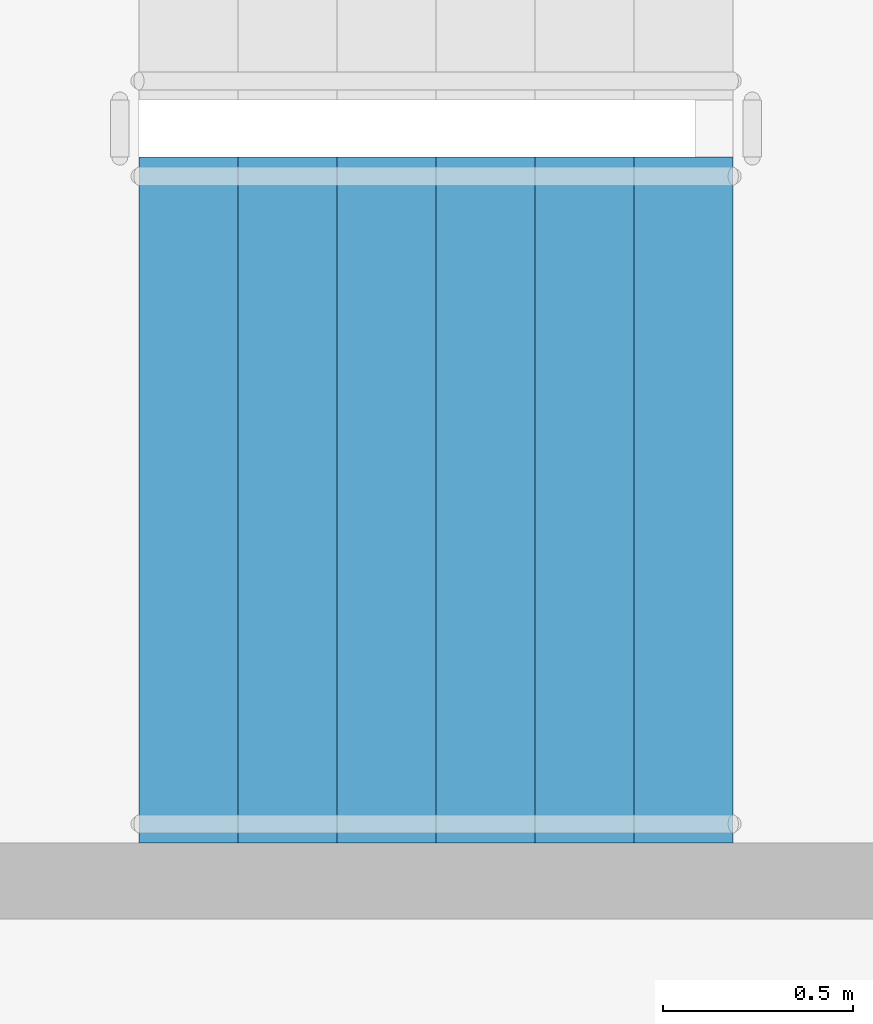
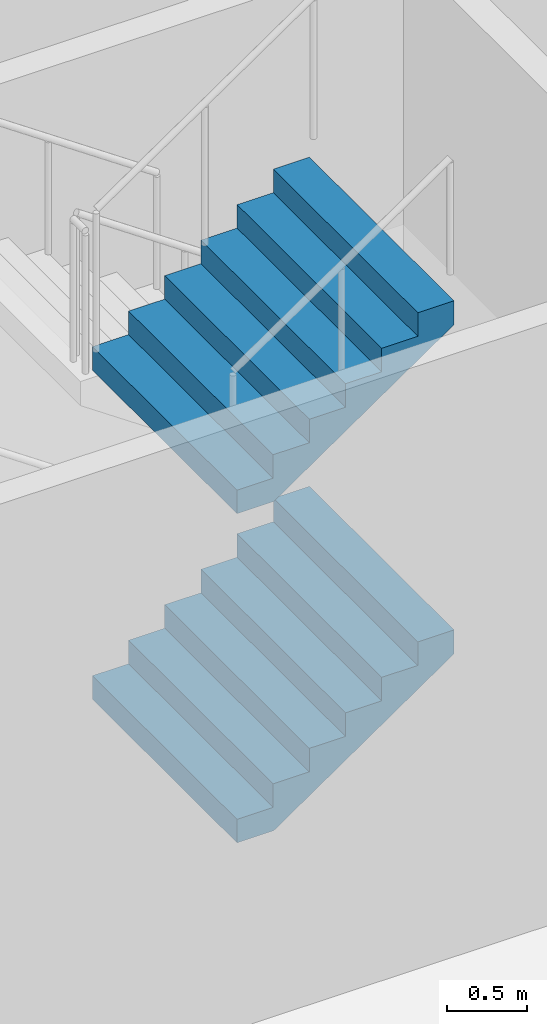
# One storey, part 46 of 59: 2 stair flights, 1 element without a shape of its own.
"""IFC4 building model written with IfcOpenShell, lengths in metres."""

from ifc_helpers import new_model, si_unit, direction, frame, origin, place, context, subcontext, project, spatial, faceted_brep, material, type_object, element, aggregate, save


model = new_model("IFC4")

# Units and contexts
model_context = context("Model", 3, precision=1e-05, world=origin(), true_north=direction((0.0, 1.0)))
body_context = subcontext(model_context, "Body", "Model", "MODEL_VIEW")
ifc_project = project(units=[si_unit("LENGTHUNIT", "METRE"), si_unit("AREAUNIT", "SQUARE_METRE"), si_unit("VOLUMEUNIT", "CUBIC_METRE"), si_unit("PLANEANGLEUNIT", "RADIAN"), si_unit("MASSUNIT", "GRAM", prefix="KILO")], contexts=[model_context])

# Site, building, storey
site_placement = place(None, origin())
site = spatial("IfcSite", under=ifc_project, at=site_placement, CompositionType="ELEMENT")
building_placement = place(site_placement, origin())
building = spatial("IfcBuilding", under=site, at=building_placement, Name="Ipe Terrace Towers", CompositionType="ELEMENT")
storey_placement = place(building_placement, frame((0.0, 0.0, 6.0)))
storey = spatial("IfcBuildingStorey", under=building, at=storey_placement, Name="L01", CompositionType="ELEMENT", Elevation=6.0)

# Stair, stair flights
ifc_material_1 = material(Name="Concrete C30/37", Category="concrete")
stair_type = type_object("IfcStairType", Name="Protected exit stair", PredefinedType="HALF_TURN_STAIR", material=ifc_material_1)
stair_placement = place(storey_placement, origin())
stair = element("IfcStair", 1, at=stair_placement, inside=storey, type_object=stair_type, Name="L01 Podium exit stair PS3", PredefinedType="HALF_TURN_STAIR")
ifc_material_2 = material(Name="Concrete C30/37", Category="concrete")
stair_flight_type = type_object("IfcStairFlightType", Name="Exit stair flight 1800", PredefinedType="STRAIGHT", material=ifc_material_2)
stair_flight_1_placement = place(storey_placement, frame((51.2099609375, 23.550048828125, 1.25), z_axis=(0.0, 0.0, 1.0), x_axis=(1.0, 0.0, 0.0)))
stair_flight_1 = element("IfcStairFlight", 2, at=stair_flight_1_placement, type_object=stair_flight_type, Name="PS3 flight 2", NumberOfRisers=7, NumberOfTreads=6, PredefinedType="STRAIGHT", RiserHeight=0.178571429, TreadLength=0.26, context=body_context, shape_type="Brep", body=[
    faceted_brep([(0.264892578125, -0.89990234375, 0.0), (1.56005859375, -0.89990234375, 0.8896484375), (1.56005859375, -0.89990234375, 1.071533203125), (1.300048828125, -0.89990234375, 1.071533203125), (1.300048828125, -0.89990234375, 0.892822265625), (1.0400390625, -0.89990234375, 0.892822265625), (1.0400390625, -0.89990234375, 0.71435546875), (0.780029296875, -0.89990234375, 0.71435546875), (0.780029296875, -0.89990234375, 0.53564453125), (0.52001953125, -0.89990234375, 0.53564453125), (0.52001953125, -0.89990234375, 0.357177734375), (0.260009765625, -0.89990234375, 0.357177734375), (0.260009765625, -0.89990234375, 0.178466796875), (0.0, -0.89990234375, 0.178466796875), (0.0, -0.89990234375, 0.0), (0.0, 0.89990234375, 0.0), (0.0, 0.89990234375, 0.178466796875), (0.260009765625, 0.89990234375, 0.178466796875), (0.260009765625, 0.89990234375, 0.357177734375), (0.52001953125, 0.89990234375, 0.357177734375), (0.52001953125, 0.89990234375, 0.53564453125), (0.780029296875, 0.89990234375, 0.53564453125), (0.780029296875, 0.89990234375, 0.71435546875), (1.0400390625, 0.89990234375, 0.71435546875), (1.0400390625, 0.89990234375, 0.892822265625), (1.300048828125, 0.89990234375, 0.892822265625), (1.300048828125, 0.89990234375, 1.071533203125), (1.56005859375, 0.89990234375, 1.071533203125), (1.56005859375, 0.89990234375, 0.8896484375), (0.264892578125, 0.89990234375, 0.0), (0.0, -0.300048828125, 0.178466796875), (0.0, -0.1201171875, 0.178466796875), (0.0, -0.06005859375, 0.178466796875), (0.0, -0.030029296875, 0.178466796875), (0.0, -0.010009765625, 0.178466796875), (0.0, 0.0, 0.178466796875), (0.0, 0.010009765625, 0.178466796875), (0.0, 0.030029296875, 0.178466796875), (0.0, 0.06005859375, 0.178466796875), (0.0, 0.1201171875, 0.178466796875), (0.0, 0.300048828125, 0.178466796875), (0.0, 0.300048828125, 0.0), (0.0, 0.1201171875, 0.0), (0.0, 0.06005859375, 0.0), (0.0, 0.030029296875, 0.0), (0.0, 0.010009765625, 0.0), (0.0, 0.0, 0.0), (0.0, -0.010009765625, 0.0), (0.0, -0.030029296875, 0.0), (0.0, -0.06005859375, 0.0), (0.0, -0.1201171875, 0.0), (0.0, -0.300048828125, 0.0), (0.260009765625, -0.300048828125, 0.178466796875), (0.260009765625, -0.1201171875, 0.178466796875), (0.260009765625, -0.06005859375, 0.178466796875), (0.260009765625, -0.030029296875, 0.178466796875), (0.260009765625, -0.010009765625, 0.178466796875), (0.260009765625, 0.0, 0.178466796875), (0.260009765625, 0.010009765625, 0.178466796875), (0.260009765625, 0.030029296875, 0.178466796875), (0.260009765625, 0.06005859375, 0.178466796875), (0.260009765625, 0.1201171875, 0.178466796875), (0.260009765625, 0.300048828125, 0.178466796875), (0.260009765625, -0.300048828125, 0.357177734375), (0.260009765625, -0.1201171875, 0.357177734375), (0.260009765625, -0.06005859375, 0.357177734375), (0.260009765625, -0.030029296875, 0.357177734375), (0.260009765625, -0.010009765625, 0.357177734375), (0.260009765625, 0.0, 0.357177734375), (0.260009765625, 0.010009765625, 0.357177734375), (0.260009765625, 0.030029296875, 0.357177734375), (0.260009765625, 0.06005859375, 0.357177734375), (0.260009765625, 0.1201171875, 0.357177734375), (0.260009765625, 0.300048828125, 0.357177734375), (0.52001953125, -0.300048828125, 0.357177734375), (0.52001953125, -0.1201171875, 0.357177734375), (0.52001953125, -0.06005859375, 0.357177734375), (0.52001953125, -0.030029296875, 0.357177734375), (0.52001953125, -0.010009765625, 0.357177734375), (0.52001953125, 0.0, 0.357177734375), (0.52001953125, 0.010009765625, 0.357177734375), (0.52001953125, 0.030029296875, 0.357177734375), (0.52001953125, 0.06005859375, 0.357177734375), (0.52001953125, 0.1201171875, 0.357177734375), (0.52001953125, 0.300048828125, 0.357177734375), (0.52001953125, -0.300048828125, 0.53564453125), (0.52001953125, -0.1201171875, 0.53564453125), (0.52001953125, -0.06005859375, 0.53564453125), (0.52001953125, -0.030029296875, 0.53564453125), (0.52001953125, -0.010009765625, 0.53564453125), (0.52001953125, 0.0, 0.53564453125), (0.52001953125, 0.010009765625, 0.53564453125), (0.52001953125, 0.030029296875, 0.53564453125), (0.52001953125, 0.06005859375, 0.53564453125), (0.52001953125, 0.1201171875, 0.53564453125), (0.52001953125, 0.300048828125, 0.53564453125), (0.780029296875, -0.300048828125, 0.53564453125), (0.780029296875, -0.1201171875, 0.53564453125), (0.780029296875, -0.06005859375, 0.53564453125), (0.780029296875, -0.030029296875, 0.53564453125), (0.780029296875, -0.010009765625, 0.53564453125), (0.780029296875, 0.0, 0.53564453125), (0.780029296875, 0.010009765625, 0.53564453125), (0.780029296875, 0.030029296875, 0.53564453125), (0.780029296875, 0.06005859375, 0.53564453125), (0.780029296875, 0.1201171875, 0.53564453125), (0.780029296875, 0.300048828125, 0.53564453125), (0.780029296875, -0.300048828125, 0.71435546875), (0.780029296875, -0.1201171875, 0.71435546875), (0.780029296875, -0.06005859375, 0.71435546875), (0.780029296875, -0.030029296875, 0.71435546875), (0.780029296875, -0.010009765625, 0.71435546875), (0.780029296875, 0.0, 0.71435546875), (0.780029296875, 0.010009765625, 0.71435546875), (0.780029296875, 0.030029296875, 0.71435546875), (0.780029296875, 0.06005859375, 0.71435546875), (0.780029296875, 0.1201171875, 0.71435546875), (0.780029296875, 0.300048828125, 0.71435546875), (1.0400390625, -0.300048828125, 0.71435546875), (1.0400390625, -0.1201171875, 0.71435546875), (1.0400390625, -0.06005859375, 0.71435546875), (1.0400390625, -0.030029296875, 0.71435546875), (1.0400390625, -0.010009765625, 0.71435546875), (1.0400390625, 0.0, 0.71435546875), (1.0400390625, 0.010009765625, 0.71435546875), (1.0400390625, 0.030029296875, 0.71435546875), (1.0400390625, 0.06005859375, 0.71435546875), (1.0400390625, 0.1201171875, 0.71435546875), (1.0400390625, 0.300048828125, 0.71435546875), (1.0400390625, -0.300048828125, 0.892822265625), (1.0400390625, -0.1201171875, 0.892822265625), (1.0400390625, -0.06005859375, 0.892822265625), (1.0400390625, -0.030029296875, 0.892822265625), (1.0400390625, -0.010009765625, 0.892822265625), (1.0400390625, 0.0, 0.892822265625), (1.0400390625, 0.010009765625, 0.892822265625), (1.0400390625, 0.030029296875, 0.892822265625), (1.0400390625, 0.06005859375, 0.892822265625), (1.0400390625, 0.1201171875, 0.892822265625), (1.0400390625, 0.300048828125, 0.892822265625), (1.300048828125, -0.300048828125, 0.892822265625), (1.300048828125, -0.1201171875, 0.892822265625), (1.300048828125, -0.06005859375, 0.892822265625), (1.300048828125, -0.030029296875, 0.892822265625), (1.300048828125, -0.010009765625, 0.892822265625), (1.300048828125, 0.0, 0.892822265625), (1.300048828125, 0.010009765625, 0.892822265625), (1.300048828125, 0.030029296875, 0.892822265625), (1.300048828125, 0.06005859375, 0.892822265625), (1.300048828125, 0.1201171875, 0.892822265625), (1.300048828125, 0.300048828125, 0.892822265625), (1.300048828125, -0.300048828125, 1.071533203125), (1.300048828125, -0.1201171875, 1.071533203125), (1.300048828125, -0.06005859375, 1.071533203125), (1.300048828125, -0.030029296875, 1.071533203125), (1.300048828125, -0.010009765625, 1.071533203125), (1.300048828125, 0.0, 1.071533203125), (1.300048828125, 0.010009765625, 1.071533203125), (1.300048828125, 0.030029296875, 1.071533203125), (1.300048828125, 0.06005859375, 1.071533203125), (1.300048828125, 0.1201171875, 1.071533203125), (1.300048828125, 0.300048828125, 1.071533203125), (1.56005859375, -0.300048828125, 1.071533203125), (1.56005859375, -0.1201171875, 1.071533203125), (1.56005859375, -0.06005859375, 1.071533203125), (1.56005859375, -0.030029296875, 1.071533203125), (1.56005859375, -0.010009765625, 1.071533203125), (1.56005859375, 0.0, 1.071533203125), (1.56005859375, 0.010009765625, 1.071533203125), (1.56005859375, 0.030029296875, 1.071533203125), (1.56005859375, 0.06005859375, 1.071533203125), (1.56005859375, 0.1201171875, 1.071533203125), (1.56005859375, 0.300048828125, 1.071533203125), (1.56005859375, -0.300048828125, 0.8896484375), (1.56005859375, -0.1201171875, 0.8896484375), (1.56005859375, -0.06005859375, 0.8896484375), (1.56005859375, -0.030029296875, 0.8896484375), (1.56005859375, -0.010009765625, 0.8896484375), (1.56005859375, 0.0, 0.8896484375), (1.56005859375, 0.010009765625, 0.8896484375), (1.56005859375, 0.030029296875, 0.8896484375), (1.56005859375, 0.06005859375, 0.8896484375), (1.56005859375, 0.1201171875, 0.8896484375), (1.56005859375, 0.300048828125, 0.8896484375), (0.264892578125, -0.300048828125, 0.0), (0.264892578125, -0.1201171875, 0.0), (0.264892578125, -0.06005859375, 0.0), (0.264892578125, -0.030029296875, 0.0), (0.264892578125, -0.010009765625, 0.0), (0.264892578125, 0.0, 0.0), (0.264892578125, 0.010009765625, 0.0), (0.264892578125, 0.030029296875, 0.0), (0.264892578125, 0.06005859375, 0.0), (0.264892578125, 0.1201171875, 0.0), (0.264892578125, 0.300048828125, 0.0)], [[[0, 1, 2, 3, 4, 5, 6, 7, 8, 9, 10, 11, 12, 13, 14]], [[15, 16, 17, 18, 19, 20, 21, 22, 23, 24, 25, 26, 27, 28, 29]], [[13, 30, 31, 32, 33, 34, 35, 36, 37, 38, 39, 40, 16, 15, 41, 42, 43, 44, 45, 46, 47, 48, 49, 50, 51, 14]], [[12, 52, 53, 54, 55, 56, 57, 58, 59, 60, 61, 62, 17, 16, 40, 39, 38, 37, 36, 35, 34, 33, 32, 31, 30, 13]], [[11, 63, 64, 65, 66, 67, 68, 69, 70, 71, 72, 73, 18, 17, 62, 61, 60, 59, 58, 57, 56, 55, 54, 53, 52, 12]], [[10, 74, 75, 76, 77, 78, 79, 80, 81, 82, 83, 84, 19, 18, 73, 72, 71, 70, 69, 68, 67, 66, 65, 64, 63, 11]], [[9, 85, 86, 87, 88, 89, 90, 91, 92, 93, 94, 95, 20, 19, 84, 83, 82, 81, 80, 79, 78, 77, 76, 75, 74, 10]], [[8, 96, 97, 98, 99, 100, 101, 102, 103, 104, 105, 106, 21, 20, 95, 94, 93, 92, 91, 90, 89, 88, 87, 86, 85, 9]], [[7, 107, 108, 109, 110, 111, 112, 113, 114, 115, 116, 117, 22, 21, 106, 105, 104, 103, 102, 101, 100, 99, 98, 97, 96, 8]], [[6, 118, 119, 120, 121, 122, 123, 124, 125, 126, 127, 128, 23, 22, 117, 116, 115, 114, 113, 112, 111, 110, 109, 108, 107, 7]], [[5, 129, 130, 131, 132, 133, 134, 135, 136, 137, 138, 139, 24, 23, 128, 127, 126, 125, 124, 123, 122, 121, 120, 119, 118, 6]], [[4, 140, 141, 142, 143, 144, 145, 146, 147, 148, 149, 150, 25, 24, 139, 138, 137, 136, 135, 134, 133, 132, 131, 130, 129, 5]], [[3, 151, 152, 153, 154, 155, 156, 157, 158, 159, 160, 161, 26, 25, 150, 149, 148, 147, 146, 145, 144, 143, 142, 141, 140, 4]], [[2, 162, 163, 164, 165, 166, 167, 168, 169, 170, 171, 172, 27, 26, 161, 160, 159, 158, 157, 156, 155, 154, 153, 152, 151, 3]], [[1, 173, 174, 175, 176, 177, 178, 179, 180, 181, 182, 183, 28, 27, 172, 171, 170, 169, 168, 167, 166, 165, 164, 163, 162, 2]], [[0, 184, 185, 186, 187, 188, 189, 190, 191, 192, 193, 194, 29, 28, 183, 182, 181, 180, 179, 178, 177, 176, 175, 174, 173, 1]], [[14, 51, 50, 49, 48, 47, 46, 45, 44, 43, 42, 41, 15, 29, 194, 193, 192, 191, 190, 189, 188, 187, 186, 185, 184, 0]]]),
])
stair_flight_2_placement = place(storey_placement, frame((51.2099609375, 23.550048828125, 3.75), z_axis=(0.0, 0.0, 1.0), x_axis=(1.0, 0.0, 0.0)))
stair_flight_2 = element("IfcStairFlight", 3, at=stair_flight_2_placement, type_object=stair_flight_type, Name="PS3 flight 4", NumberOfRisers=7, NumberOfTreads=6, PredefinedType="STRAIGHT", RiserHeight=0.178571429, TreadLength=0.26, context=body_context, shape_type="Brep", body=[
    faceted_brep([(0.264892578125, -0.89990234375, 0.0), (1.56005859375, -0.89990234375, 0.8896484375), (1.56005859375, -0.89990234375, 1.071533203125), (1.300048828125, -0.89990234375, 1.071533203125), (1.300048828125, -0.89990234375, 0.892822265625), (1.0400390625, -0.89990234375, 0.892822265625), (1.0400390625, -0.89990234375, 0.71435546875), (0.780029296875, -0.89990234375, 0.71435546875), (0.780029296875, -0.89990234375, 0.53564453125), (0.52001953125, -0.89990234375, 0.53564453125), (0.52001953125, -0.89990234375, 0.357177734375), (0.260009765625, -0.89990234375, 0.357177734375), (0.260009765625, -0.89990234375, 0.178466796875), (0.0, -0.89990234375, 0.178466796875), (0.0, -0.89990234375, 0.0), (0.0, 0.89990234375, 0.0), (0.0, 0.89990234375, 0.178466796875), (0.260009765625, 0.89990234375, 0.178466796875), (0.260009765625, 0.89990234375, 0.357177734375), (0.52001953125, 0.89990234375, 0.357177734375), (0.52001953125, 0.89990234375, 0.53564453125), (0.780029296875, 0.89990234375, 0.53564453125), (0.780029296875, 0.89990234375, 0.71435546875), (1.0400390625, 0.89990234375, 0.71435546875), (1.0400390625, 0.89990234375, 0.892822265625), (1.300048828125, 0.89990234375, 0.892822265625), (1.300048828125, 0.89990234375, 1.071533203125), (1.56005859375, 0.89990234375, 1.071533203125), (1.56005859375, 0.89990234375, 0.8896484375), (0.264892578125, 0.89990234375, 0.0), (0.0, -0.300048828125, 0.178466796875), (0.0, -0.1201171875, 0.178466796875), (0.0, -0.06005859375, 0.178466796875), (0.0, -0.030029296875, 0.178466796875), (0.0, -0.010009765625, 0.178466796875), (0.0, 0.0, 0.178466796875), (0.0, 0.010009765625, 0.178466796875), (0.0, 0.030029296875, 0.178466796875), (0.0, 0.06005859375, 0.178466796875), (0.0, 0.1201171875, 0.178466796875), (0.0, 0.300048828125, 0.178466796875), (0.0, 0.300048828125, 0.0), (0.0, 0.1201171875, 0.0), (0.0, 0.06005859375, 0.0), (0.0, 0.030029296875, 0.0), (0.0, 0.010009765625, 0.0), (0.0, 0.0, 0.0), (0.0, -0.010009765625, 0.0), (0.0, -0.030029296875, 0.0), (0.0, -0.06005859375, 0.0), (0.0, -0.1201171875, 0.0), (0.0, -0.300048828125, 0.0), (0.260009765625, -0.300048828125, 0.178466796875), (0.260009765625, -0.1201171875, 0.178466796875), (0.260009765625, -0.06005859375, 0.178466796875), (0.260009765625, -0.030029296875, 0.178466796875), (0.260009765625, -0.010009765625, 0.178466796875), (0.260009765625, 0.0, 0.178466796875), (0.260009765625, 0.010009765625, 0.178466796875), (0.260009765625, 0.030029296875, 0.178466796875), (0.260009765625, 0.06005859375, 0.178466796875), (0.260009765625, 0.1201171875, 0.178466796875), (0.260009765625, 0.300048828125, 0.178466796875), (0.260009765625, -0.300048828125, 0.357177734375), (0.260009765625, -0.1201171875, 0.357177734375), (0.260009765625, -0.06005859375, 0.357177734375), (0.260009765625, -0.030029296875, 0.357177734375), (0.260009765625, -0.010009765625, 0.357177734375), (0.260009765625, 0.0, 0.357177734375), (0.260009765625, 0.010009765625, 0.357177734375), (0.260009765625, 0.030029296875, 0.357177734375), (0.260009765625, 0.06005859375, 0.357177734375), (0.260009765625, 0.1201171875, 0.357177734375), (0.260009765625, 0.300048828125, 0.357177734375), (0.52001953125, -0.300048828125, 0.357177734375), (0.52001953125, -0.1201171875, 0.357177734375), (0.52001953125, -0.06005859375, 0.357177734375), (0.52001953125, -0.030029296875, 0.357177734375), (0.52001953125, -0.010009765625, 0.357177734375), (0.52001953125, 0.0, 0.357177734375), (0.52001953125, 0.010009765625, 0.357177734375), (0.52001953125, 0.030029296875, 0.357177734375), (0.52001953125, 0.06005859375, 0.357177734375), (0.52001953125, 0.1201171875, 0.357177734375), (0.52001953125, 0.300048828125, 0.357177734375), (0.52001953125, -0.300048828125, 0.53564453125), (0.52001953125, -0.1201171875, 0.53564453125), (0.52001953125, -0.06005859375, 0.53564453125), (0.52001953125, -0.030029296875, 0.53564453125), (0.52001953125, -0.010009765625, 0.53564453125), (0.52001953125, 0.0, 0.53564453125), (0.52001953125, 0.010009765625, 0.53564453125), (0.52001953125, 0.030029296875, 0.53564453125), (0.52001953125, 0.06005859375, 0.53564453125), (0.52001953125, 0.1201171875, 0.53564453125), (0.52001953125, 0.300048828125, 0.53564453125), (0.780029296875, -0.300048828125, 0.53564453125), (0.780029296875, -0.1201171875, 0.53564453125), (0.780029296875, -0.06005859375, 0.53564453125), (0.780029296875, -0.030029296875, 0.53564453125), (0.780029296875, -0.010009765625, 0.53564453125), (0.780029296875, 0.0, 0.53564453125), (0.780029296875, 0.010009765625, 0.53564453125), (0.780029296875, 0.030029296875, 0.53564453125), (0.780029296875, 0.06005859375, 0.53564453125), (0.780029296875, 0.1201171875, 0.53564453125), (0.780029296875, 0.300048828125, 0.53564453125), (0.780029296875, -0.300048828125, 0.71435546875), (0.780029296875, -0.1201171875, 0.71435546875), (0.780029296875, -0.06005859375, 0.71435546875), (0.780029296875, -0.030029296875, 0.71435546875), (0.780029296875, -0.010009765625, 0.71435546875), (0.780029296875, 0.0, 0.71435546875), (0.780029296875, 0.010009765625, 0.71435546875), (0.780029296875, 0.030029296875, 0.71435546875), (0.780029296875, 0.06005859375, 0.71435546875), (0.780029296875, 0.1201171875, 0.71435546875), (0.780029296875, 0.300048828125, 0.71435546875), (1.0400390625, -0.300048828125, 0.71435546875), (1.0400390625, -0.1201171875, 0.71435546875), (1.0400390625, -0.06005859375, 0.71435546875), (1.0400390625, -0.030029296875, 0.71435546875), (1.0400390625, -0.010009765625, 0.71435546875), (1.0400390625, 0.0, 0.71435546875), (1.0400390625, 0.010009765625, 0.71435546875), (1.0400390625, 0.030029296875, 0.71435546875), (1.0400390625, 0.06005859375, 0.71435546875), (1.0400390625, 0.1201171875, 0.71435546875), (1.0400390625, 0.300048828125, 0.71435546875), (1.0400390625, -0.300048828125, 0.892822265625), (1.0400390625, -0.1201171875, 0.892822265625), (1.0400390625, -0.06005859375, 0.892822265625), (1.0400390625, -0.030029296875, 0.892822265625), (1.0400390625, -0.010009765625, 0.892822265625), (1.0400390625, 0.0, 0.892822265625), (1.0400390625, 0.010009765625, 0.892822265625), (1.0400390625, 0.030029296875, 0.892822265625), (1.0400390625, 0.06005859375, 0.892822265625), (1.0400390625, 0.1201171875, 0.892822265625), (1.0400390625, 0.300048828125, 0.892822265625), (1.300048828125, -0.300048828125, 0.892822265625), (1.300048828125, -0.1201171875, 0.892822265625), (1.300048828125, -0.06005859375, 0.892822265625), (1.300048828125, -0.030029296875, 0.892822265625), (1.300048828125, -0.010009765625, 0.892822265625), (1.300048828125, 0.0, 0.892822265625), (1.300048828125, 0.010009765625, 0.892822265625), (1.300048828125, 0.030029296875, 0.892822265625), (1.300048828125, 0.06005859375, 0.892822265625), (1.300048828125, 0.1201171875, 0.892822265625), (1.300048828125, 0.300048828125, 0.892822265625), (1.300048828125, -0.300048828125, 1.071533203125), (1.300048828125, -0.1201171875, 1.071533203125), (1.300048828125, -0.06005859375, 1.071533203125), (1.300048828125, -0.030029296875, 1.071533203125), (1.300048828125, -0.010009765625, 1.071533203125), (1.300048828125, 0.0, 1.071533203125), (1.300048828125, 0.010009765625, 1.071533203125), (1.300048828125, 0.030029296875, 1.071533203125), (1.300048828125, 0.06005859375, 1.071533203125), (1.300048828125, 0.1201171875, 1.071533203125), (1.300048828125, 0.300048828125, 1.071533203125), (1.56005859375, -0.300048828125, 1.071533203125), (1.56005859375, -0.1201171875, 1.071533203125), (1.56005859375, -0.06005859375, 1.071533203125), (1.56005859375, -0.030029296875, 1.071533203125), (1.56005859375, -0.010009765625, 1.071533203125), (1.56005859375, 0.0, 1.071533203125), (1.56005859375, 0.010009765625, 1.071533203125), (1.56005859375, 0.030029296875, 1.071533203125), (1.56005859375, 0.06005859375, 1.071533203125), (1.56005859375, 0.1201171875, 1.071533203125), (1.56005859375, 0.300048828125, 1.071533203125), (1.56005859375, -0.300048828125, 0.8896484375), (1.56005859375, -0.1201171875, 0.8896484375), (1.56005859375, -0.06005859375, 0.8896484375), (1.56005859375, -0.030029296875, 0.8896484375), (1.56005859375, -0.010009765625, 0.8896484375), (1.56005859375, 0.0, 0.8896484375), (1.56005859375, 0.010009765625, 0.8896484375), (1.56005859375, 0.030029296875, 0.8896484375), (1.56005859375, 0.06005859375, 0.8896484375), (1.56005859375, 0.1201171875, 0.8896484375), (1.56005859375, 0.300048828125, 0.8896484375), (0.264892578125, -0.300048828125, 0.0), (0.264892578125, -0.1201171875, 0.0), (0.264892578125, -0.06005859375, 0.0), (0.264892578125, -0.030029296875, 0.0), (0.264892578125, -0.010009765625, 0.0), (0.264892578125, 0.0, 0.0), (0.264892578125, 0.010009765625, 0.0), (0.264892578125, 0.030029296875, 0.0), (0.264892578125, 0.06005859375, 0.0), (0.264892578125, 0.1201171875, 0.0), (0.264892578125, 0.300048828125, 0.0)], [[[0, 1, 2, 3, 4, 5, 6, 7, 8, 9, 10, 11, 12, 13, 14]], [[15, 16, 17, 18, 19, 20, 21, 22, 23, 24, 25, 26, 27, 28, 29]], [[13, 30, 31, 32, 33, 34, 35, 36, 37, 38, 39, 40, 16, 15, 41, 42, 43, 44, 45, 46, 47, 48, 49, 50, 51, 14]], [[12, 52, 53, 54, 55, 56, 57, 58, 59, 60, 61, 62, 17, 16, 40, 39, 38, 37, 36, 35, 34, 33, 32, 31, 30, 13]], [[11, 63, 64, 65, 66, 67, 68, 69, 70, 71, 72, 73, 18, 17, 62, 61, 60, 59, 58, 57, 56, 55, 54, 53, 52, 12]], [[10, 74, 75, 76, 77, 78, 79, 80, 81, 82, 83, 84, 19, 18, 73, 72, 71, 70, 69, 68, 67, 66, 65, 64, 63, 11]], [[9, 85, 86, 87, 88, 89, 90, 91, 92, 93, 94, 95, 20, 19, 84, 83, 82, 81, 80, 79, 78, 77, 76, 75, 74, 10]], [[8, 96, 97, 98, 99, 100, 101, 102, 103, 104, 105, 106, 21, 20, 95, 94, 93, 92, 91, 90, 89, 88, 87, 86, 85, 9]], [[7, 107, 108, 109, 110, 111, 112, 113, 114, 115, 116, 117, 22, 21, 106, 105, 104, 103, 102, 101, 100, 99, 98, 97, 96, 8]], [[6, 118, 119, 120, 121, 122, 123, 124, 125, 126, 127, 128, 23, 22, 117, 116, 115, 114, 113, 112, 111, 110, 109, 108, 107, 7]], [[5, 129, 130, 131, 132, 133, 134, 135, 136, 137, 138, 139, 24, 23, 128, 127, 126, 125, 124, 123, 122, 121, 120, 119, 118, 6]], [[4, 140, 141, 142, 143, 144, 145, 146, 147, 148, 149, 150, 25, 24, 139, 138, 137, 136, 135, 134, 133, 132, 131, 130, 129, 5]], [[3, 151, 152, 153, 154, 155, 156, 157, 158, 159, 160, 161, 26, 25, 150, 149, 148, 147, 146, 145, 144, 143, 142, 141, 140, 4]], [[2, 162, 163, 164, 165, 166, 167, 168, 169, 170, 171, 172, 27, 26, 161, 160, 159, 158, 157, 156, 155, 154, 153, 152, 151, 3]], [[1, 173, 174, 175, 176, 177, 178, 179, 180, 181, 182, 183, 28, 27, 172, 171, 170, 169, 168, 167, 166, 165, 164, 163, 162, 2]], [[0, 184, 185, 186, 187, 188, 189, 190, 191, 192, 193, 194, 29, 28, 183, 182, 181, 180, 179, 178, 177, 176, 175, 174, 173, 1]], [[14, 51, 50, 49, 48, 47, 46, 45, 44, 43, 42, 41, 15, 29, 194, 193, 192, 191, 190, 189, 188, 187, 186, 185, 184, 0]]]),
])
aggregate(stair, [stair_flight_1, stair_flight_2])

save(model, "model.ifc")
